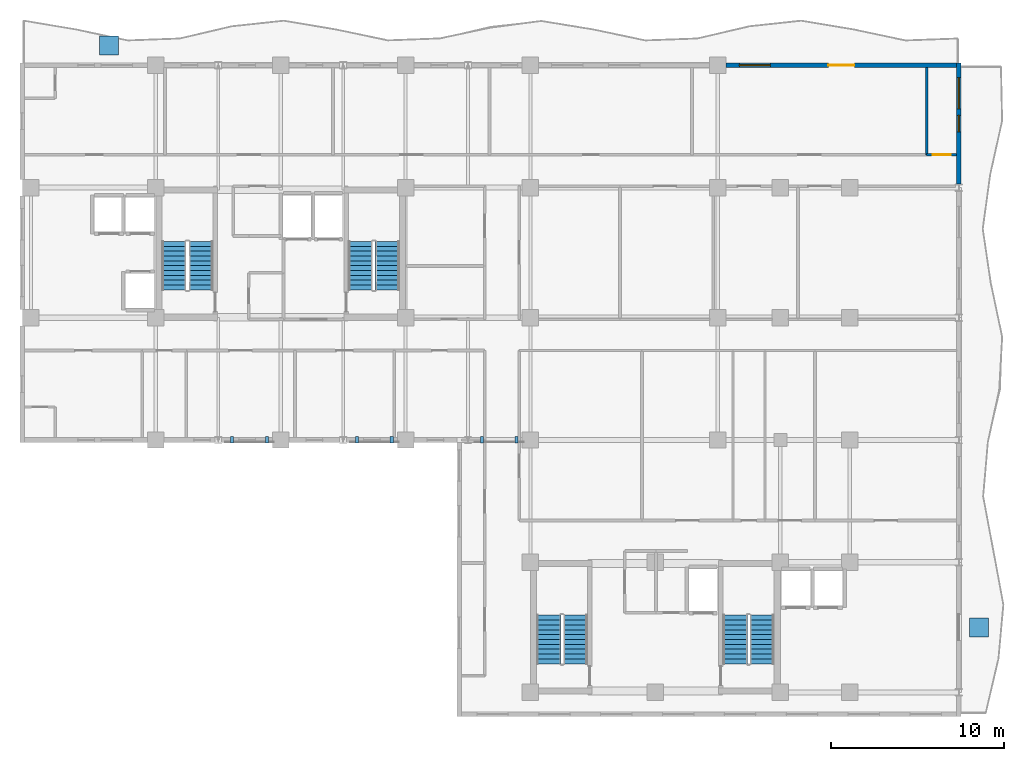
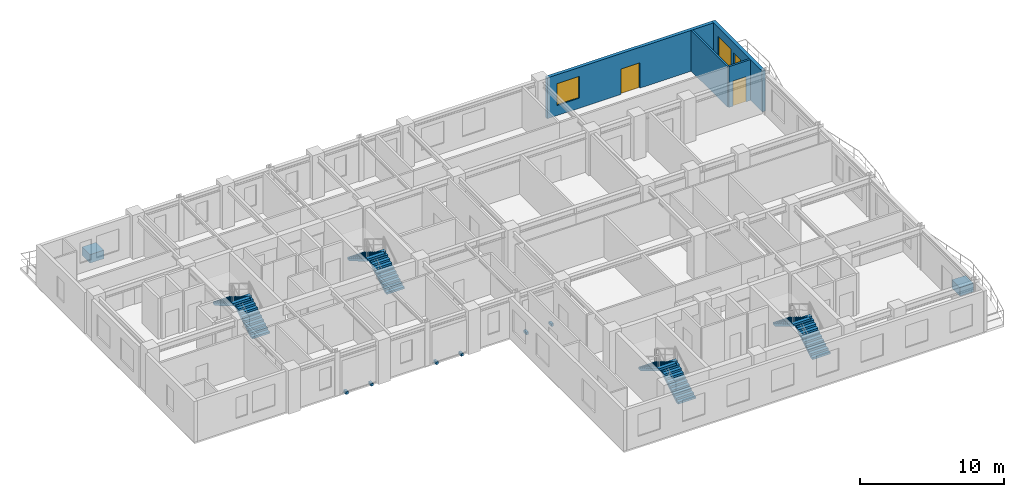
# One storey, part 10 of 13: 8 discrete accessories, 8 stair flights, 4 walls, 3 windows, 2 doors, 5 openings, 4 elements without a shape of their own.
"""IFC4 building model written with IfcOpenShell, lengths in metres."""

from ifc_helpers import new_model, si_unit, direction, frame, frame_2d, origin, origin_2d, place, context, subcontext, project, spatial, polyline, rectangle, outline, extrude, source, transform, mapped, material, layer, layer_set, type_object, element, fill, aggregate, save


model = new_model("IFC4")

# Units and contexts
model_context = context("Model", 3, precision=1e-05, world=origin(), true_north=direction((0.0, 1.0)))
body_context = subcontext(model_context, "Body", "Model", "MODEL_VIEW")
ifc_project = project(units=[si_unit("LENGTHUNIT", "METRE"), si_unit("AREAUNIT", "SQUARE_METRE"), si_unit("VOLUMEUNIT", "CUBIC_METRE"), si_unit("PLANEANGLEUNIT", "RADIAN"), si_unit("MASSUNIT", "GRAM", prefix="KILO")], contexts=[model_context])

# Site, building, storey
site_placement = place(None, origin())
site = spatial("IfcSite", under=ifc_project, at=site_placement, CompositionType="ELEMENT")
building_placement = place(site_placement, origin())
building = spatial("IfcBuilding", under=site, at=building_placement, Name="Kaliganga Portal Commons", CompositionType="ELEMENT")
storey_placement = place(building_placement, frame((0.0, 0.0, 212.89990234375)))
storey = spatial("IfcBuildingStorey", under=building, at=storey_placement, Name="L54", CompositionType="ELEMENT", Elevation=212.89990234375)

# Wall, openings, windows
ifc_material_1 = material(Name="Insulated Aluminium-Clad Spandrel Assembly", Category="aluminium")
ifc_layer_1 = layer(ifc_material_1, 0.260009765625)
ifc_layer_set_1 = layer_set([ifc_layer_1], Name="Insulated Aluminium-Clad Spandrel Assembly")
wall_type_1 = type_object("IfcWallType", Name="WL-EXT-SPAND-260", PredefinedType="STANDARD", material=ifc_layer_set_1)
wall_1_placement = place(storey_placement, frame((60.699951171875, 43.330078125, 0.0), z_axis=(0.0, 0.0, 1.0), x_axis=(0.0, -1.0, 0.0)))
wall_1 = element("IfcWall", 1, at=wall_1_placement, inside=storey, type_object=wall_type_1, Name="Exterior Envelope Wall L54 P1-E01-S6", PredefinedType="STANDARD", context=body_context, shape_type="SweptSolid", body=[
    extrude(rectangle(XDim=6.97900390625, YDim=0.260009765625, at=frame_2d((3.489501953125, 0.0))), origin(), (0.0, 0.0, 1.0), 3.4501953125),
])
opening_1_placement = place(wall_1_placement, frame((0.8447265625, 0.0, 0.85009765625)))
opening_1 = element("IfcOpeningElement", 2, at=opening_1_placement, cuts=wall_1, Name="Opening W-01", PredefinedType="OPENING", context=body_context, shape_type="SweptSolid", body=[
    extrude(rectangle(XDim=1.800048828125, YDim=1.85009765625, at=frame_2d((0.89990234375, 0.925048828125))), frame((0.0, 0.14013671875, 0.0), z_axis=(0.0, -1.0, 0.0), x_axis=(1.0, 0.0, 0.0)), (0.0, 0.0, 1.0), 0.280029296875),
])
opening_2_placement = place(wall_1_placement, frame((3.014404296875, 0.0, 0.85009765625)))
opening_2 = element("IfcOpeningElement", 3, at=opening_2_placement, cuts=wall_1, Name="Opening W-04", PredefinedType="OPENING", context=body_context, shape_type="SweptSolid", body=[
    extrude(rectangle(XDim=0.949951171875, YDim=1.75, at=frame_2d((0.47509765625, 0.875))), frame((0.0, 0.14013671875, 0.0), z_axis=(0.0, -1.0, 0.0), x_axis=(1.0, 0.0, 0.0)), (0.0, 0.0, 1.0), 0.280029296875),
])
ifc_material_2 = material(Name="Thermally Broken Aluminium and Low-E Double Glazing", Category="aluminium")
window_type_1 = type_object("IfcWindowType", Name="WIN-NARROW-950", PartitioningType="SINGLE_PANEL", PredefinedType="WINDOW", material=ifc_material_2)
window_1_placement = place(opening_2_placement, origin())
window_1 = element("IfcWindow", 4, at=window_1_placement, inside=storey, type_object=window_type_1, Name="Facade Window L54-P1E01S6-N0", OverallHeight=1.75, OverallWidth=0.949951171875, PartitioningType="SINGLE_PANEL", PredefinedType="WINDOW", context=body_context, shape_type="SweptSolid", body=[
    extrude(rectangle(XDim=0.949951171875, YDim=1.75, at=frame_2d((0.47509765625, 0.875))), frame((0.0, 0.030029296875, 0.0), z_axis=(0.0, -1.0, 0.0), x_axis=(1.0, 0.0, 0.0)), (0.0, 0.0, 1.0), 0.06005859375),
])
fill(opening_2, window_1)
window_type_2 = type_object("IfcWindowType", Name="WIN-STD-1800", PartitioningType="DOUBLE_PANEL_VERTICAL", PredefinedType="WINDOW", material=ifc_material_2)
window_2_placement = place(opening_1_placement, origin())
window_2 = element("IfcWindow", 5, at=window_2_placement, inside=storey, type_object=window_type_2, Name="Facade Window L54-P1E01S6-00", OverallHeight=1.85009765625, OverallWidth=1.800048828125, PartitioningType="SINGLE_PANEL", PredefinedType="WINDOW", context=body_context, shape_type="SweptSolid", body=[
    extrude(rectangle(XDim=1.800048828125, YDim=1.85009765625, at=frame_2d((0.89990234375, 0.925048828125))), frame((0.0, 0.030029296875, 0.0), z_axis=(0.0, -1.0, 0.0), x_axis=(1.0, 0.0, 0.0)), (0.0, 0.0, 1.0), 0.06005859375),
])
fill(opening_1, window_2)

# Wall, openings, door, window
wall_2_placement = place(storey_placement, frame((47.27587890625, 43.199951171875, 0.0), z_axis=(0.0, 0.0, 1.0), x_axis=(1.0, 0.0, 0.0)))
wall_2 = element("IfcWall", 6, at=wall_2_placement, inside=storey, type_object=wall_type_1, Name="Exterior Envelope Wall L54 P1-E02-S1", PredefinedType="STANDARD", context=body_context, shape_type="SweptSolid", body=[
    extrude(rectangle(XDim=13.2890625, YDim=0.260009765625, at=frame_2d((6.64453125, 0.0))), origin(), (0.0, 0.0, 1.0), 3.4501953125),
])
opening_3_placement = place(wall_2_placement, frame((5.89404296875, 0.0, 0.0)))
opening_3 = element("IfcOpeningElement", 7, at=opening_3_placement, cuts=wall_2, Name="Opening BD-01", PredefinedType="OPENING", context=body_context, shape_type="SweptSolid", body=[
    extrude(rectangle(XDim=1.5, YDim=2.14990234375, at=frame_2d((0.75, 1.074951171875))), frame((0.0, 0.14013671875, 0.0), z_axis=(0.0, -1.0, 0.0), x_axis=(1.0, 0.0, 0.0)), (0.0, 0.0, 1.0), 0.280029296875),
])
opening_4_placement = place(wall_2_placement, frame((0.760986328125, 0.0, 0.85009765625)))
opening_4 = element("IfcOpeningElement", 8, at=opening_4_placement, cuts=wall_2, Name="Opening W-01", PredefinedType="OPENING", context=body_context, shape_type="SweptSolid", body=[
    extrude(rectangle(XDim=1.800048828125, YDim=1.85009765625, at=frame_2d((0.89990234375, 0.925048828125))), frame((0.0, 0.14013671875, 0.0), z_axis=(0.0, -1.0, 0.0), x_axis=(1.0, 0.0, 0.0)), (0.0, 0.0, 1.0), 0.280029296875),
])
ifc_material_3 = material(Name="Anodized Aluminium and Laminated Safety Glass", Category="aluminium")
door_type_1 = type_object("IfcDoorType", Name="DR-BALC-1500", OperationType="SLIDING_TO_LEFT", PredefinedType="DOOR", material=ifc_material_3)
door_1_placement = place(opening_3_placement, origin())
door_1 = element("IfcDoor", 9, at=door_1_placement, inside=storey, type_object=door_type_1, Name="Balcony Sliding Door L54 balc_north", OperationType="SLIDING_TO_LEFT", OverallHeight=2.14990234375, OverallWidth=1.5, PredefinedType="DOOR", context=body_context, shape_type="SweptSolid", body=[
    extrude(rectangle(XDim=1.5, YDim=2.14990234375, at=frame_2d((0.75, 1.074951171875))), frame((0.0, 0.02490234375, 0.0), z_axis=(0.0, -1.0, 0.0), x_axis=(1.0, 0.0, 0.0)), (0.0, 0.0, 1.0), 0.050048828125),
])
fill(opening_3, door_1)
window_3_placement = place(opening_4_placement, origin())
window_3 = element("IfcWindow", 10, at=window_3_placement, inside=storey, type_object=window_type_2, Name="Facade Window L54-P1E02S1-00", OverallHeight=1.85009765625, OverallWidth=1.800048828125, PartitioningType="SINGLE_PANEL", PredefinedType="WINDOW", context=body_context, shape_type="SweptSolid", body=[
    extrude(rectangle(XDim=1.800048828125, YDim=1.85009765625, at=frame_2d((0.89990234375, 0.925048828125))), frame((0.0, 0.030029296875, 0.0), z_axis=(0.0, -1.0, 0.0), x_axis=(1.0, 0.0, 0.0)), (0.0, 0.0, 1.0), 0.06005859375),
])
fill(opening_4, window_3)

# Wall, opening, door
ifc_material_4 = material(Name="Fire-Rated Gypsum Board on Steel Stud", Category="steel")
ifc_layer_2 = layer(ifc_material_4, 0.14990234375)
ifc_layer_set_2 = layer_set([ifc_layer_2], Name="Fire-Rated Gypsum Board on Steel Stud")
wall_type_2 = type_object("IfcWallType", Name="WL-PART-CORR-150", PredefinedType="PARTITIONING", material=ifc_layer_set_2)
wall_3_placement = place(storey_placement, frame((58.840087890625, 38.0400390625, 0.0), z_axis=(0.0, 0.0, 1.0), x_axis=(1.0, 0.0, 0.0)))
wall_3 = element("IfcWall", 11, at=wall_3_placement, inside=storey, type_object=wall_type_2, Name="Interior Partition L54-042", PredefinedType="PARTITIONING", context=body_context, shape_type="SweptSolid", body=[
    extrude(rectangle(XDim=1.72802734375, YDim=0.14990234375, at=frame_2d((0.864013671875, 0.0))), origin(), (0.0, 0.0, 1.0), 3.4501953125),
])
opening_5_placement = place(wall_3_placement, frame((0.339111328125, 0.0, 0.0)))
opening_5 = element("IfcOpeningElement", 12, at=opening_5_placement, cuts=wall_3, Name="Opening UD-02", PredefinedType="OPENING", context=body_context, shape_type="SweptSolid", body=[
    extrude(rectangle(XDim=1.050048828125, YDim=2.1201171875, at=frame_2d((0.52490234375, 1.06005859375))), frame((0.0, 0.0849609375, 0.0), z_axis=(0.0, -1.0, 0.0), x_axis=(1.0, 0.0, 0.0)), (0.0, 0.0, 1.0), 0.169921875),
])
ifc_material_5 = material(Name="Accessible Wide-Leaf Acoustic Fire Door", Category="wood")
door_type_2 = type_object("IfcDoorType", Name="DR-ACC-1050", OperationType="NOTDEFINED", PredefinedType="DOOR", material=ifc_material_5)
door_2_placement = place(opening_5_placement, origin())
door_2 = element("IfcDoor", 13, at=door_2_placement, inside=storey, type_object=door_type_2, Name="Interior Door L54-AN06", OperationType="SINGLE_SWING_RIGHT", OverallHeight=2.1201171875, OverallWidth=1.050048828125, PredefinedType="DOOR", context=body_context, shape_type="SweptSolid", body=[
    extrude(rectangle(XDim=1.050048828125, YDim=2.1201171875, at=frame_2d((0.52490234375, 1.06005859375))), frame((0.0, 0.02490234375, 0.0), z_axis=(0.0, -1.0, 0.0), x_axis=(1.0, 0.0, 0.0)), (0.0, 0.0, 1.0), 0.050048828125),
])
fill(opening_5, door_2)

# Wall
ifc_material_6 = material(Name="Cement-Board Wet-Room Partition", Category="gypsum")
ifc_layer_3 = layer(ifc_material_6, 0.135009765625)
ifc_layer_set_3 = layer_set([ifc_layer_3], Name="Cement-Board Wet-Room Partition")
wall_type_3 = type_object("IfcWallType", Name="WL-PART-WET-135", PredefinedType="PARTITIONING", material=ifc_layer_set_3)
wall_4_placement = place(storey_placement, frame((58.840087890625, 38.0400390625, 0.0), z_axis=(0.0, 0.0, 1.0), x_axis=(0.0, 1.0, 0.0)))
element("IfcWall", 14, at=wall_4_placement, inside=storey, type_object=wall_type_3, Name="Interior Partition L54-067", PredefinedType="PARTITIONING", context=body_context, shape_type="SweptSolid", body=[
    extrude(rectangle(XDim=5.028076171875, YDim=0.135009765625, at=frame_2d((2.51416015625, 0.0))), origin(), (0.0, 0.0, 1.0), 3.4501953125),
])

# Stair, stair flights
ifc_material_7 = material(Name="Concrete C40/50", Category="concrete")
stair_type = type_object("IfcStairType", Name="ST-CORE-DOGLEG", PredefinedType="HALF_TURN_STAIR", material=ifc_material_7)
stair_1_placement = place(storey_placement, origin())
stair_1 = element("IfcStair", 15, at=stair_1_placement, inside=storey, type_object=stair_type, Name="L54 Protected Exit Stair ST-A1", PredefinedType="HALF_TURN_STAIR")
stair_flight_type = type_object("IfcStairFlightType", Name="STF-RC-1400", PredefinedType="STRAIGHT", material=ifc_material_7)
stair_flight_1_placement = place(storey_placement, frame((17.0, 30.25, 0.0), z_axis=(0.0, 0.0, 1.0), x_axis=(0.0, 1.0, 0.0)))
stair_flight_1 = element("IfcStairFlight", 16, at=stair_flight_1_placement, type_object=stair_flight_type, Name="ST-A1 flight 1", NumberOfRisers=11, NumberOfTreads=10, PredefinedType="STRAIGHT", RiserHeight=0.168181818, TreadLength=0.28, context=body_context, shape_type="SweptSolid", body=[
    extrude(outline(polyline([(0.0, 0.0), (0.0, 0.168212890625), (0.280029296875, 0.168212890625), (0.280029296875, 0.33642578125), (0.56005859375, 0.33642578125), (0.56005859375, 0.504638671875), (0.840087890625, 0.504638671875), (0.840087890625, 0.672607421875), (1.1201171875, 0.672607421875), (1.1201171875, 0.8408203125), (1.39990234375, 0.8408203125), (1.39990234375, 1.009033203125), (1.679931640625, 1.009033203125), (1.679931640625, 1.17724609375), (1.9599609375, 1.17724609375), (1.9599609375, 1.345458984375), (2.239990234375, 1.345458984375), (2.239990234375, 1.513671875), (2.52001953125, 1.513671875), (2.52001953125, 1.681884765625), (2.800048828125, 1.681884765625), (2.800048828125, 1.85009765625), (2.800048828125, 1.5068359375), (0.291015625, 0.0), (0.0, 0.0)])), frame((0.0, 0.699951171875, 0.0), z_axis=(0.0, -1.0, 0.0), x_axis=(1.0, 0.0, 0.0)), (0.0, 0.0, 1.0), 1.39990234375),
])
stair_flight_2_placement = place(storey_placement, frame((15.449951171875, 33.050048828125, 1.85009765625), z_axis=(0.0, 0.0, 1.0), x_axis=(0.0, -1.0, 0.0)))
stair_flight_2 = element("IfcStairFlight", 17, at=stair_flight_2_placement, type_object=stair_flight_type, Name="ST-A1 flight 2", NumberOfRisers=11, NumberOfTreads=10, PredefinedType="STRAIGHT", RiserHeight=0.168181818, TreadLength=0.28, context=body_context, shape_type="SweptSolid", body=[
    extrude(outline(polyline([(0.0, 0.0), (0.0, 0.168212890625), (0.280029296875, 0.168212890625), (0.280029296875, 0.33642578125), (0.56005859375, 0.33642578125), (0.56005859375, 0.504638671875), (0.840087890625, 0.504638671875), (0.840087890625, 0.672607421875), (1.1201171875, 0.672607421875), (1.1201171875, 0.8408203125), (1.39990234375, 0.8408203125), (1.39990234375, 1.009033203125), (1.679931640625, 1.009033203125), (1.679931640625, 1.17724609375), (1.9599609375, 1.17724609375), (1.9599609375, 1.345458984375), (2.239990234375, 1.345458984375), (2.239990234375, 1.513671875), (2.52001953125, 1.513671875), (2.52001953125, 1.681884765625), (2.800048828125, 1.681884765625), (2.800048828125, 1.85009765625), (2.800048828125, 1.5068359375), (0.291015625, 0.0), (0.0, 0.0)])), frame((0.0, 0.699951171875, 0.0), z_axis=(0.0, -1.0, 0.0), x_axis=(1.0, 0.0, 0.0)), (0.0, 0.0, 1.0), 1.39990234375),
])
aggregate(stair_1, [stair_flight_1, stair_flight_2])

stair_2_placement = place(storey_placement, origin())
stair_2 = element("IfcStair", 18, at=stair_2_placement, inside=storey, type_object=stair_type, Name="L54 Protected Exit Stair ST-A2", PredefinedType="HALF_TURN_STAIR")
stair_flight_3_placement = place(storey_placement, frame((27.75, 30.25, 0.0), z_axis=(0.0, 0.0, 1.0), x_axis=(0.0, 1.0, 0.0)))
stair_flight_3 = element("IfcStairFlight", 19, at=stair_flight_3_placement, type_object=stair_flight_type, Name="ST-A2 flight 1", NumberOfRisers=11, NumberOfTreads=10, PredefinedType="STRAIGHT", RiserHeight=0.168181818, TreadLength=0.28, context=body_context, shape_type="SweptSolid", body=[
    extrude(outline(polyline([(0.0, 0.0), (0.0, 0.168212890625), (0.280029296875, 0.168212890625), (0.280029296875, 0.33642578125), (0.56005859375, 0.33642578125), (0.56005859375, 0.504638671875), (0.840087890625, 0.504638671875), (0.840087890625, 0.672607421875), (1.1201171875, 0.672607421875), (1.1201171875, 0.8408203125), (1.39990234375, 0.8408203125), (1.39990234375, 1.009033203125), (1.679931640625, 1.009033203125), (1.679931640625, 1.17724609375), (1.9599609375, 1.17724609375), (1.9599609375, 1.345458984375), (2.239990234375, 1.345458984375), (2.239990234375, 1.513671875), (2.52001953125, 1.513671875), (2.52001953125, 1.681884765625), (2.800048828125, 1.681884765625), (2.800048828125, 1.85009765625), (2.800048828125, 1.5068359375), (0.291015625, 0.0), (0.0, 0.0)])), frame((0.0, 0.699951171875, 0.0), z_axis=(0.0, -1.0, 0.0), x_axis=(1.0, 0.0, 0.0)), (0.0, 0.0, 1.0), 1.39990234375),
])
stair_flight_4_placement = place(storey_placement, frame((26.199951171875, 33.050048828125, 1.85009765625), z_axis=(0.0, 0.0, 1.0), x_axis=(0.0, -1.0, 0.0)))
stair_flight_4 = element("IfcStairFlight", 20, at=stair_flight_4_placement, type_object=stair_flight_type, Name="ST-A2 flight 2", NumberOfRisers=11, NumberOfTreads=10, PredefinedType="STRAIGHT", RiserHeight=0.168181818, TreadLength=0.28, context=body_context, shape_type="SweptSolid", body=[
    extrude(outline(polyline([(0.0, 0.0), (0.0, 0.168212890625), (0.280029296875, 0.168212890625), (0.280029296875, 0.33642578125), (0.56005859375, 0.33642578125), (0.56005859375, 0.504638671875), (0.840087890625, 0.504638671875), (0.840087890625, 0.672607421875), (1.1201171875, 0.672607421875), (1.1201171875, 0.8408203125), (1.39990234375, 0.8408203125), (1.39990234375, 1.009033203125), (1.679931640625, 1.009033203125), (1.679931640625, 1.17724609375), (1.9599609375, 1.17724609375), (1.9599609375, 1.345458984375), (2.239990234375, 1.345458984375), (2.239990234375, 1.513671875), (2.52001953125, 1.513671875), (2.52001953125, 1.681884765625), (2.800048828125, 1.681884765625), (2.800048828125, 1.85009765625), (2.800048828125, 1.5068359375), (0.291015625, 0.0), (0.0, 0.0)])), frame((0.0, 0.699951171875, 0.0), z_axis=(0.0, -1.0, 0.0), x_axis=(1.0, 0.0, 0.0)), (0.0, 0.0, 1.0), 1.39990234375),
])
aggregate(stair_2, [stair_flight_3, stair_flight_4])

stair_3_placement = place(storey_placement, origin())
stair_3 = element("IfcStair", 21, at=stair_3_placement, inside=storey, type_object=stair_type, Name="L54 Protected Exit Stair ST-B1", PredefinedType="HALF_TURN_STAIR")
stair_flight_5_placement = place(storey_placement, frame((38.60009765625, 8.699951171875, 0.0), z_axis=(0.0, 0.0, 1.0), x_axis=(0.0, 1.0, 0.0)))
stair_flight_5 = element("IfcStairFlight", 22, at=stair_flight_5_placement, type_object=stair_flight_type, Name="ST-B1 flight 1", NumberOfRisers=11, NumberOfTreads=10, PredefinedType="STRAIGHT", RiserHeight=0.168181818, TreadLength=0.28, context=body_context, shape_type="SweptSolid", body=[
    extrude(outline(polyline([(0.0, 0.0), (0.0, 0.168212890625), (0.280029296875, 0.168212890625), (0.280029296875, 0.33642578125), (0.56005859375, 0.33642578125), (0.56005859375, 0.504638671875), (0.840087890625, 0.504638671875), (0.840087890625, 0.672607421875), (1.1201171875, 0.672607421875), (1.1201171875, 0.8408203125), (1.39990234375, 0.8408203125), (1.39990234375, 1.009033203125), (1.679931640625, 1.009033203125), (1.679931640625, 1.17724609375), (1.9599609375, 1.17724609375), (1.9599609375, 1.345458984375), (2.239990234375, 1.345458984375), (2.239990234375, 1.513671875), (2.52001953125, 1.513671875), (2.52001953125, 1.681884765625), (2.800048828125, 1.681884765625), (2.800048828125, 1.85009765625), (2.800048828125, 1.5068359375), (0.291015625, 0.0), (0.0, 0.0)])), frame((0.0, 0.699951171875, 0.0), z_axis=(0.0, -1.0, 0.0), x_axis=(1.0, 0.0, 0.0)), (0.0, 0.0, 1.0), 1.39990234375),
])
stair_flight_6_placement = place(storey_placement, frame((37.050048828125, 11.5, 1.85009765625), z_axis=(0.0, 0.0, 1.0), x_axis=(0.0, -1.0, 0.0)))
stair_flight_6 = element("IfcStairFlight", 23, at=stair_flight_6_placement, type_object=stair_flight_type, Name="ST-B1 flight 2", NumberOfRisers=11, NumberOfTreads=10, PredefinedType="STRAIGHT", RiserHeight=0.168181818, TreadLength=0.28, context=body_context, shape_type="SweptSolid", body=[
    extrude(outline(polyline([(0.0, 0.0), (0.0, 0.168212890625), (0.280029296875, 0.168212890625), (0.280029296875, 0.33642578125), (0.56005859375, 0.33642578125), (0.56005859375, 0.504638671875), (0.840087890625, 0.504638671875), (0.840087890625, 0.672607421875), (1.1201171875, 0.672607421875), (1.1201171875, 0.8408203125), (1.39990234375, 0.8408203125), (1.39990234375, 1.009033203125), (1.679931640625, 1.009033203125), (1.679931640625, 1.17724609375), (1.9599609375, 1.17724609375), (1.9599609375, 1.345458984375), (2.239990234375, 1.345458984375), (2.239990234375, 1.513671875), (2.52001953125, 1.513671875), (2.52001953125, 1.681884765625), (2.800048828125, 1.681884765625), (2.800048828125, 1.85009765625), (2.800048828125, 1.5068359375), (0.291015625, 0.0), (0.0, 0.0)])), frame((0.0, 0.699951171875, 0.0), z_axis=(0.0, -1.0, 0.0), x_axis=(1.0, 0.0, 0.0)), (0.0, 0.0, 1.0), 1.39990234375),
])
aggregate(stair_3, [stair_flight_5, stair_flight_6])

stair_4_placement = place(storey_placement, origin())
stair_4 = element("IfcStair", 24, at=stair_4_placement, inside=storey, type_object=stair_type, Name="L54 Protected Exit Stair ST-B2", PredefinedType="HALF_TURN_STAIR")
stair_flight_7_placement = place(storey_placement, frame((49.35009765625, 8.699951171875, 0.0), z_axis=(0.0, 0.0, 1.0), x_axis=(0.0, 1.0, 0.0)))
stair_flight_7 = element("IfcStairFlight", 25, at=stair_flight_7_placement, type_object=stair_flight_type, Name="ST-B2 flight 1", NumberOfRisers=11, NumberOfTreads=10, PredefinedType="STRAIGHT", RiserHeight=0.168181818, TreadLength=0.28, context=body_context, shape_type="SweptSolid", body=[
    extrude(outline(polyline([(0.0, 0.0), (0.0, 0.168212890625), (0.280029296875, 0.168212890625), (0.280029296875, 0.33642578125), (0.56005859375, 0.33642578125), (0.56005859375, 0.504638671875), (0.840087890625, 0.504638671875), (0.840087890625, 0.672607421875), (1.1201171875, 0.672607421875), (1.1201171875, 0.8408203125), (1.39990234375, 0.8408203125), (1.39990234375, 1.009033203125), (1.679931640625, 1.009033203125), (1.679931640625, 1.17724609375), (1.9599609375, 1.17724609375), (1.9599609375, 1.345458984375), (2.239990234375, 1.345458984375), (2.239990234375, 1.513671875), (2.52001953125, 1.513671875), (2.52001953125, 1.681884765625), (2.800048828125, 1.681884765625), (2.800048828125, 1.85009765625), (2.800048828125, 1.5068359375), (0.291015625, 0.0), (0.0, 0.0)])), frame((0.0, 0.699951171875, 0.0), z_axis=(0.0, -1.0, 0.0), x_axis=(1.0, 0.0, 0.0)), (0.0, 0.0, 1.0), 1.39990234375),
])
stair_flight_8_placement = place(storey_placement, frame((47.800048828125, 11.5, 1.85009765625), z_axis=(0.0, 0.0, 1.0), x_axis=(0.0, -1.0, 0.0)))
stair_flight_8 = element("IfcStairFlight", 26, at=stair_flight_8_placement, type_object=stair_flight_type, Name="ST-B2 flight 2", NumberOfRisers=11, NumberOfTreads=10, PredefinedType="STRAIGHT", RiserHeight=0.168181818, TreadLength=0.28, context=body_context, shape_type="SweptSolid", body=[
    extrude(outline(polyline([(0.0, 0.0), (0.0, 0.168212890625), (0.280029296875, 0.168212890625), (0.280029296875, 0.33642578125), (0.56005859375, 0.33642578125), (0.56005859375, 0.504638671875), (0.840087890625, 0.504638671875), (0.840087890625, 0.672607421875), (1.1201171875, 0.672607421875), (1.1201171875, 0.8408203125), (1.39990234375, 0.8408203125), (1.39990234375, 1.009033203125), (1.679931640625, 1.009033203125), (1.679931640625, 1.17724609375), (1.9599609375, 1.17724609375), (1.9599609375, 1.345458984375), (2.239990234375, 1.345458984375), (2.239990234375, 1.513671875), (2.52001953125, 1.513671875), (2.52001953125, 1.681884765625), (2.800048828125, 1.681884765625), (2.800048828125, 1.85009765625), (2.800048828125, 1.5068359375), (0.291015625, 0.0), (0.0, 0.0)])), frame((0.0, 0.699951171875, 0.0), z_axis=(0.0, -1.0, 0.0), x_axis=(1.0, 0.0, 0.0)), (0.0, 0.0, 1.0), 1.39990234375),
])
aggregate(stair_4, [stair_flight_7, stair_flight_8])

# Discrete accessories
ifc_material_8 = material(Name="Precast concrete C40/50", Category="concrete")
discrete_accessory_type_1 = type_object("IfcDiscreteAccessoryType", Name="DAC-PLANTER-RC", PredefinedType="USERDEFINED", material=ifc_material_8)
shared_shape_1 = source(origin(), body_context, "Body", "SweptSolid", [
    extrude(rectangle(XDim=1.10009765625, YDim=1.10009765625, at=origin_2d()), origin(), (0.0, 0.0, 1.0), 0.719970703125),
])
for number, where, z_axis, x_axis, name in (
    (27, (11.699951171875, 44.35009765625, 0.0), (0.0, 0.0, 1.0), (1.0, 0.0, 0.0), "Structural Tree Planter L54 balc_north"),
    (28, (61.85009765625, 10.800048828125, 0.0), (0.0, 0.0, 1.0), (1.0, 0.0, 0.0), "Structural Tree Planter L54 balc_east"),
):
    element("IfcDiscreteAccessory", number, at=place(storey_placement, frame(where, z_axis=z_axis, x_axis=x_axis)), inside=storey, type_object=discrete_accessory_type_1, Name=name, ObjectType="PLANTER", PredefinedType="USERDEFINED", context=body_context, shape_type="MappedRepresentation", body=[
        mapped(shared_shape_1, transform((0.0, 0.0, 0.0), x_axis=(1.0, 0.0, 0.0), y_axis=(0.0, 1.0, 0.0), z_axis=(0.0, 0.0, 1.0), scale=1.0)),
    ])
ifc_material_9 = material(Name="Structural steel S355J2", Category="steel")
discrete_accessory_type_2 = type_object("IfcDiscreteAccessoryType", Name="DAC-BRK-SCR", PredefinedType="BRACKET", material=ifc_material_9)
shared_shape_2 = source(origin(), body_context, "Body", "SweptSolid", [
    extrude(rectangle(XDim=0.179931640625, YDim=0.360107421875, at=origin_2d()), origin(), (0.0, 0.0, 1.0), 0.219970703125),
])
for number, where, z_axis, x_axis, name in (
    (29, (18.800048828125, 21.6201171875, -0.18994140625), (0.0, 0.0, 1.0), (1.0, 0.0, 0.0), "Solar Screen Outrigger Bracket L54-S1-1"),
    (30, (20.800048828125, 21.6201171875, -0.18994140625), (0.0, 0.0, 1.0), (1.0, 0.0, 0.0), "Solar Screen Outrigger Bracket L54-S1-2"),
    (31, (26.0, 21.6201171875, -0.18994140625), (0.0, 0.0, 1.0), (1.0, 0.0, 0.0), "Solar Screen Outrigger Bracket L54-S2-1"),
    (32, (28.0, 21.6201171875, -0.18994140625), (0.0, 0.0, 1.0), (1.0, 0.0, 0.0), "Solar Screen Outrigger Bracket L54-S2-2"),
    (33, (33.199951171875, 21.6201171875, -0.18994140625), (0.0, 0.0, 1.0), (1.0, 0.0, 0.0), "Solar Screen Outrigger Bracket L54-S3-1"),
    (34, (35.199951171875, 21.6201171875, -0.18994140625), (0.0, 0.0, 1.0), (1.0, 0.0, 0.0), "Solar Screen Outrigger Bracket L54-S3-2"),
):
    element("IfcDiscreteAccessory", number, at=place(storey_placement, frame(where, z_axis=z_axis, x_axis=x_axis)), inside=storey, type_object=discrete_accessory_type_2, Name=name, PredefinedType="BRACKET", context=body_context, shape_type="MappedRepresentation", body=[
        mapped(shared_shape_2, transform((0.0, 0.0, 0.0), x_axis=(1.0, 0.0, 0.0), y_axis=(0.0, 1.0, 0.0), z_axis=(0.0, 0.0, 1.0), scale=1.0)),
    ])

save(model, "model.ifc")
